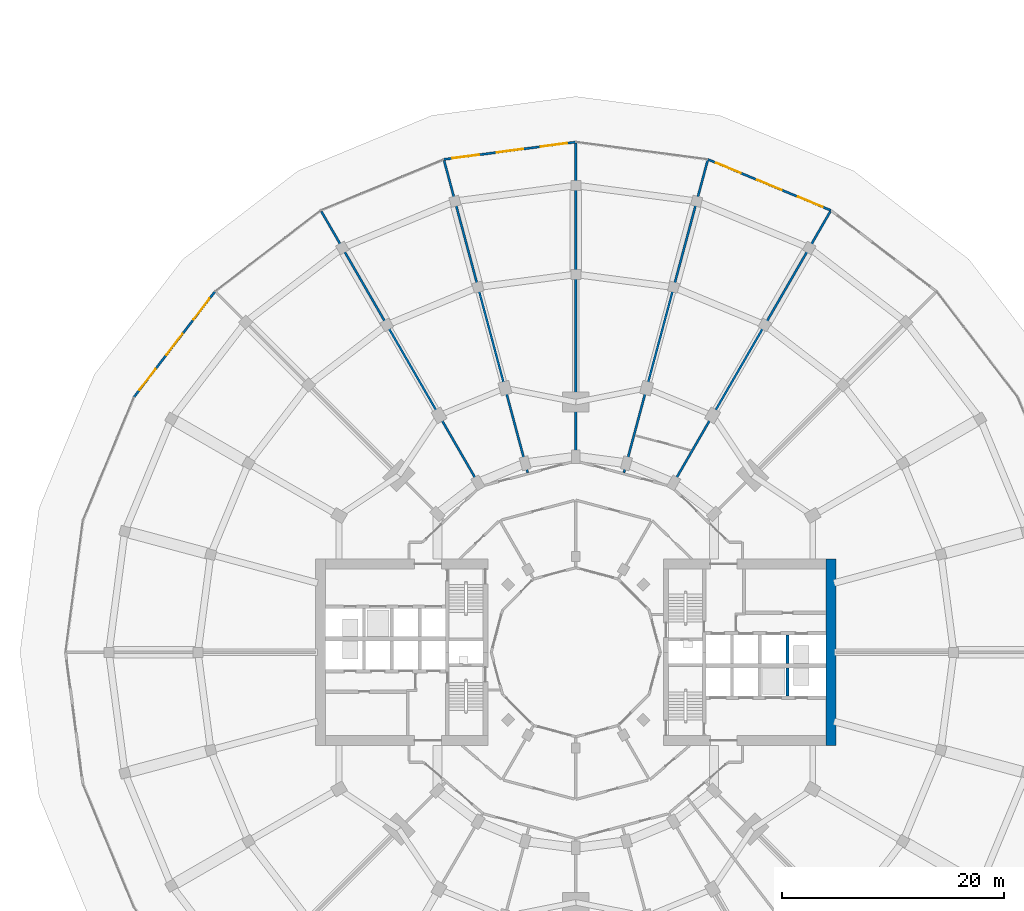
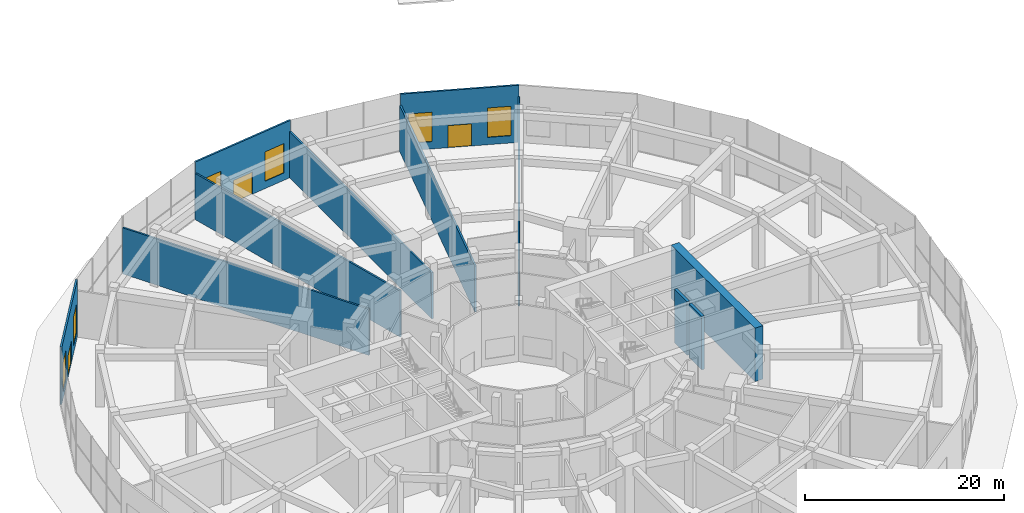
# One storey, part 28 of 31: 11 walls, 6 windows, 3 doors, 9 openings.
"""IFC4 building model written with IfcOpenShell, lengths in metres."""

from ifc_helpers import new_model, si_unit, direction, frame, frame_2d, origin, place, context, subcontext, project, spatial, rectangle, extrude, material, layer, layer_set, type_object, element, fill, save


model = new_model("IFC4")

# Units and contexts
model_context = context("Model", 3, precision=1e-05, world=origin(), true_north=direction((0.0, 1.0)))
body_context = subcontext(model_context, "Body", "Model", "MODEL_VIEW")
ifc_project = project(units=[si_unit("LENGTHUNIT", "METRE"), si_unit("AREAUNIT", "SQUARE_METRE"), si_unit("VOLUMEUNIT", "CUBIC_METRE"), si_unit("PLANEANGLEUNIT", "RADIAN"), si_unit("MASSUNIT", "GRAM", prefix="KILO")], contexts=[model_context])

# Site, building, storey
site_placement = place(None, origin())
site = spatial("IfcSite", under=ifc_project, at=site_placement, CompositionType="ELEMENT")
building_placement = place(site_placement, origin())
building = spatial("IfcBuilding", under=site, at=building_placement, Name="Torre Brocal", CompositionType="ELEMENT")
storey_placement = place(building_placement, origin())
storey = spatial("IfcBuildingStorey", under=building, at=storey_placement, Name="L00", CompositionType="ELEMENT", Elevation=0.0)

# Walls
ifc_material_1 = material(Name="Concrete C80", Category="concrete")
ifc_layer_1 = layer(ifc_material_1, 0.300048828125)
ifc_layer_set_1 = layer_set([ifc_layer_1], Name="Concrete C80")
wall_type_1 = type_object("IfcWallType", Name="CORE WALL 300 C80 UNDER 450 SLAB", PredefinedType="SHEAR", material=ifc_layer_set_1)
for number, where, z_axis, x_axis, name in (
    (1, (99.050048828125, 74.0, 0.0), (0.0, 0.0, 1.0), (0.0, 1.0, 0.0), "Wall CW300-80-S450"),
    (2, (99.050048828125, 71.050048828125, 0.0), (0.0, 0.0, 1.0), (0.0, 1.0, 0.0), "Wall CW300-80-S450"),
):
    element("IfcWall", number, at=place(storey_placement, frame(where, z_axis=z_axis, x_axis=x_axis)), inside=storey, type_object=wall_type_1, Name=name, PredefinedType="SHEAR", context=body_context, shape_type="SweptSolid", body=[
        extrude(rectangle(XDim=2.550048828125, YDim=0.300048828125, at=frame_2d((1.27490234375, 0.0))), origin(), (0.0, 0.0, 1.0), 6.550048828125),
    ])
ifc_material_2 = material(Name="Concrete C80", Category="concrete")
ifc_layer_2 = layer(ifc_material_2, 0.89990234375)
ifc_layer_set_2 = layer_set([ifc_layer_2], Name="Concrete C80")
wall_type_2 = type_object("IfcWallType", Name="CORE WALL 900 C80 UNDER 450 SLAB", PredefinedType="SHEAR", material=ifc_layer_set_2)
wall_1_placement = place(storey_placement, frame((102.949951171875, 66.60009765625, 0.0), z_axis=(0.0, 0.0, 1.0), x_axis=(0.0, 1.0, 0.0)))
element("IfcWall", 3, at=wall_1_placement, inside=storey, type_object=wall_type_2, Name="Wall CW900-80-S450", PredefinedType="SHEAR", context=body_context, shape_type="SweptSolid", body=[
    extrude(rectangle(XDim=16.7998046875, YDim=0.89990234375, at=frame_2d((8.39990234375, 0.0))), origin(), (0.0, 0.0, 1.0), 6.550048828125),
])

# Wall, openings, door, windows
ifc_material_3 = material(Name="Concrete C40", Category="concrete")
ifc_layer_3 = layer(ifc_material_3, 0.199951171875)
ifc_layer_set_3 = layer_set([ifc_layer_3], Name="Concrete C40")
wall_type_3 = type_object("IfcWallType", Name="EXTERNAL WALL 200", PredefinedType="NOTDEFINED", material=ifc_layer_set_3)
wall_2_placement = place(storey_placement, frame((102.949462890625, 114.749755859375, 0.0), z_axis=(0.0, 0.0, 1.0), x_axis=(-0.923874283273, 0.382696104901, 0.0)))
wall_2 = element("IfcWall", 4, at=wall_2_placement, inside=storey, type_object=wall_type_3, Name="EXTERNAL WALL", PredefinedType="NOTDEFINED", context=body_context, shape_type="SweptSolid", body=[
    extrude(rectangle(XDim=11.98193359375, YDim=0.199951171875, at=frame_2d((5.990966796875, 0.0))), origin(), (0.0, 0.0, 1.0), 7.0),
])
opening_1_placement = place(wall_2_placement, frame((0.797119140625, 0.0, 0.89990234375)))
opening_1 = element("IfcOpeningElement", 5, at=opening_1_placement, cuts=wall_2, Name="Opening W5", PredefinedType="OPENING", context=body_context, shape_type="SweptSolid", body=[
    extrude(rectangle(XDim=2.39990234375, YDim=3.60009765625, at=frame_2d((1.199951171875, 1.800048828125))), frame((0.0, 0.10986328125, 0.0), z_axis=(0.0, -1.0, 0.0), x_axis=(1.0, 0.0, 0.0)), (0.0, 0.0, 1.0), 0.219970703125),
])
opening_2_placement = place(wall_2_placement, frame((4.791015625, 0.0, 0.0)))
opening_2 = element("IfcOpeningElement", 6, at=opening_2_placement, cuts=wall_2, Name="Opening L00-E03", PredefinedType="OPENING", context=body_context, shape_type="SweptSolid", body=[
    extrude(rectangle(XDim=2.39990234375, YDim=2.699951171875, at=frame_2d((1.199951171875, 1.35009765625))), frame((0.0, 0.10986328125, 0.0), z_axis=(0.0, -1.0, 0.0), x_axis=(1.0, 0.0, 0.0)), (0.0, 0.0, 1.0), 0.219970703125),
])
opening_3_placement = place(wall_2_placement, frame((8.78515625, 0.0, 0.89990234375)))
opening_3 = element("IfcOpeningElement", 7, at=opening_3_placement, cuts=wall_2, Name="Opening W5", PredefinedType="OPENING", context=body_context, shape_type="SweptSolid", body=[
    extrude(rectangle(XDim=2.39990234375, YDim=3.60009765625, at=frame_2d((1.199951171875, 1.800048828125))), frame((0.0, 0.10986328125, 0.0), z_axis=(0.0, -1.0, 0.0), x_axis=(1.0, 0.0, 0.0)), (0.0, 0.0, 1.0), 0.219970703125),
])
ifc_material_4 = material(Name="Aluminium and glass", Category="aluminium")
door_type = type_object("IfcDoorType", Name="ENTRANCE DOUBLE DOOR 2400X2700", OperationType="DOUBLE_DOOR_SINGLE_SWING", PredefinedType="DOOR", material=ifc_material_4)
door_1_placement = place(opening_2_placement, frame((2.39990234375, 0.0, 0.0), z_axis=(0.0, 0.0, 1.0), x_axis=(-1.0, 0.0, 0.0)))
door_1 = element("IfcDoor", 8, at=door_1_placement, inside=storey, type_object=door_type, Name="DOOR L00-E03", OperationType="DOUBLE_DOOR_SINGLE_SWING", OverallHeight=2.699951171875, OverallWidth=2.39990234375, PredefinedType="DOOR", context=body_context, shape_type="SweptSolid", body=[
    extrude(rectangle(XDim=2.39990234375, YDim=2.699951171875, at=frame_2d((1.199951171875, 1.35009765625))), frame((0.0, 0.02490234375, 0.0), z_axis=(0.0, -1.0, 0.0), x_axis=(1.0, 0.0, 0.0)), (0.0, 0.0, 1.0), 0.050048828125),
])
fill(opening_2, door_1)
ifc_material_5 = material(Name="Aluminium and glass", Category="aluminium")
window_type = type_object("IfcWindowType", Name="PODIUM WINDOW 2400X3600", PartitioningType="SINGLE_PANEL", PredefinedType="WINDOW", material=ifc_material_5)
window_1_placement = place(opening_1_placement, origin())
window_1 = element("IfcWindow", 9, at=window_1_placement, inside=storey, type_object=window_type, Name="PODIUM WINDOW 2400X3600", OverallHeight=3.60009765625, OverallWidth=2.39990234375, PartitioningType="SINGLE_PANEL", PredefinedType="WINDOW", context=body_context, shape_type="SweptSolid", body=[
    extrude(rectangle(XDim=2.39990234375, YDim=3.60009765625, at=frame_2d((1.199951171875, 1.800048828125))), frame((0.0, 0.030029296875, 0.0), z_axis=(0.0, -1.0, 0.0), x_axis=(1.0, 0.0, 0.0)), (0.0, 0.0, 1.0), 0.06005859375),
])
fill(opening_1, window_1)
window_2_placement = place(opening_3_placement, origin())
window_2 = element("IfcWindow", 10, at=window_2_placement, inside=storey, type_object=window_type, Name="PODIUM WINDOW 2400X3600", OverallHeight=3.60009765625, OverallWidth=2.39990234375, PartitioningType="SINGLE_PANEL", PredefinedType="WINDOW", context=body_context, shape_type="SweptSolid", body=[
    extrude(rectangle(XDim=2.39990234375, YDim=3.60009765625, at=frame_2d((1.199951171875, 1.800048828125))), frame((0.0, 0.030029296875, 0.0), z_axis=(0.0, -1.0, 0.0), x_axis=(1.0, 0.0, 0.0)), (0.0, 0.0, 1.0), 0.06005859375),
])
fill(opening_3, window_2)

wall_3_placement = place(storey_placement, frame((80.0, 120.899169921875, 0.0), z_axis=(0.0, 0.0, 1.0), x_axis=(-0.991445069361, -0.130524612391, 0.0)))
wall_3 = element("IfcWall", 11, at=wall_3_placement, inside=storey, type_object=wall_type_3, Name="EXTERNAL WALL", PredefinedType="NOTDEFINED", context=body_context, shape_type="SweptSolid", body=[
    extrude(rectangle(XDim=11.982177734375, YDim=0.199951171875, at=frame_2d((5.9912109375, 0.0))), origin(), (0.0, 0.0, 1.0), 7.0),
])
opening_4_placement = place(wall_3_placement, frame((0.797119140625, 0.0, 0.89990234375)))
opening_4 = element("IfcOpeningElement", 12, at=opening_4_placement, cuts=wall_3, Name="Opening W5", PredefinedType="OPENING", context=body_context, shape_type="SweptSolid", body=[
    extrude(rectangle(XDim=2.39990234375, YDim=3.60009765625, at=frame_2d((1.199951171875, 1.800048828125))), frame((0.0, 0.10986328125, 0.0), z_axis=(0.0, -1.0, 0.0), x_axis=(1.0, 0.0, 0.0)), (0.0, 0.0, 1.0), 0.219970703125),
])
opening_5_placement = place(wall_3_placement, frame((4.791015625, 0.0, 0.0)))
opening_5 = element("IfcOpeningElement", 13, at=opening_5_placement, cuts=wall_3, Name="Opening L00-E04", PredefinedType="OPENING", context=body_context, shape_type="SweptSolid", body=[
    extrude(rectangle(XDim=2.39990234375, YDim=2.699951171875, at=frame_2d((1.199951171875, 1.35009765625))), frame((0.0, 0.10986328125, 0.0), z_axis=(0.0, -1.0, 0.0), x_axis=(1.0, 0.0, 0.0)), (0.0, 0.0, 1.0), 0.219970703125),
])
opening_6_placement = place(wall_3_placement, frame((8.78515625, 0.0, 0.89990234375)))
opening_6 = element("IfcOpeningElement", 14, at=opening_6_placement, cuts=wall_3, Name="Opening W5", PredefinedType="OPENING", context=body_context, shape_type="SweptSolid", body=[
    extrude(rectangle(XDim=2.39990234375, YDim=3.60009765625, at=frame_2d((1.199951171875, 1.800048828125))), frame((0.0, 0.10986328125, 0.0), z_axis=(0.0, -1.0, 0.0), x_axis=(1.0, 0.0, 0.0)), (0.0, 0.0, 1.0), 0.219970703125),
])
door_2_placement = place(opening_5_placement, frame((2.39990234375, 0.0, 0.0), z_axis=(0.0, 0.0, 1.0), x_axis=(-1.0, 0.0, 0.0)))
door_2 = element("IfcDoor", 15, at=door_2_placement, inside=storey, type_object=door_type, Name="DOOR L00-E04", OperationType="DOUBLE_DOOR_SINGLE_SWING", OverallHeight=2.699951171875, OverallWidth=2.39990234375, PredefinedType="DOOR", context=body_context, shape_type="SweptSolid", body=[
    extrude(rectangle(XDim=2.39990234375, YDim=2.699951171875, at=frame_2d((1.199951171875, 1.35009765625))), frame((0.0, 0.02490234375, 0.0), z_axis=(0.0, -1.0, 0.0), x_axis=(1.0, 0.0, 0.0)), (0.0, 0.0, 1.0), 0.050048828125),
])
fill(opening_5, door_2)
window_3_placement = place(opening_4_placement, origin())
window_3 = element("IfcWindow", 16, at=window_3_placement, inside=storey, type_object=window_type, Name="PODIUM WINDOW 2400X3600", OverallHeight=3.60009765625, OverallWidth=2.39990234375, PartitioningType="SINGLE_PANEL", PredefinedType="WINDOW", context=body_context, shape_type="SweptSolid", body=[
    extrude(rectangle(XDim=2.39990234375, YDim=3.60009765625, at=frame_2d((1.199951171875, 1.800048828125))), frame((0.0, 0.030029296875, 0.0), z_axis=(0.0, -1.0, 0.0), x_axis=(1.0, 0.0, 0.0)), (0.0, 0.0, 1.0), 0.06005859375),
])
fill(opening_4, window_3)
window_4_placement = place(opening_6_placement, origin())
window_4 = element("IfcWindow", 17, at=window_4_placement, inside=storey, type_object=window_type, Name="PODIUM WINDOW 2400X3600", OverallHeight=3.60009765625, OverallWidth=2.39990234375, PartitioningType="SINGLE_PANEL", PredefinedType="WINDOW", context=body_context, shape_type="SweptSolid", body=[
    extrude(rectangle(XDim=2.39990234375, YDim=3.60009765625, at=frame_2d((1.199951171875, 1.800048828125))), frame((0.0, 0.030029296875, 0.0), z_axis=(0.0, -1.0, 0.0), x_axis=(1.0, 0.0, 0.0)), (0.0, 0.0, 1.0), 0.06005859375),
])
fill(opening_6, window_4)

wall_4_placement = place(storey_placement, frame((47.54443359375, 107.45556640625, 0.0), z_axis=(0.0, 0.0, 1.0), x_axis=(-0.608756159021, -0.793357384068, 0.0)))
wall_4 = element("IfcWall", 18, at=wall_4_placement, inside=storey, type_object=wall_type_3, Name="EXTERNAL WALL", PredefinedType="NOTDEFINED", context=body_context, shape_type="SweptSolid", body=[
    extrude(rectangle(XDim=11.982177734375, YDim=0.199951171875, at=frame_2d((5.9912109375, 0.0))), origin(), (0.0, 0.0, 1.0), 7.0),
])
opening_7_placement = place(wall_4_placement, frame((0.797119140625, 0.0, 0.89990234375)))
opening_7 = element("IfcOpeningElement", 19, at=opening_7_placement, cuts=wall_4, Name="Opening W5", PredefinedType="OPENING", context=body_context, shape_type="SweptSolid", body=[
    extrude(rectangle(XDim=2.39990234375, YDim=3.60009765625, at=frame_2d((1.199951171875, 1.800048828125))), frame((0.0, 0.10986328125, 0.0), z_axis=(0.0, -1.0, 0.0), x_axis=(1.0, 0.0, 0.0)), (0.0, 0.0, 1.0), 0.219970703125),
])
opening_8_placement = place(wall_4_placement, frame((4.791015625, 0.0, 0.0)))
opening_8 = element("IfcOpeningElement", 20, at=opening_8_placement, cuts=wall_4, Name="Opening L00-E05", PredefinedType="OPENING", context=body_context, shape_type="SweptSolid", body=[
    extrude(rectangle(XDim=2.39990234375, YDim=2.699951171875, at=frame_2d((1.199951171875, 1.35009765625))), frame((0.0, 0.10986328125, 0.0), z_axis=(0.0, -1.0, 0.0), x_axis=(1.0, 0.0, 0.0)), (0.0, 0.0, 1.0), 0.219970703125),
])
opening_9_placement = place(wall_4_placement, frame((8.78515625, 0.0, 0.89990234375)))
opening_9 = element("IfcOpeningElement", 21, at=opening_9_placement, cuts=wall_4, Name="Opening W5", PredefinedType="OPENING", context=body_context, shape_type="SweptSolid", body=[
    extrude(rectangle(XDim=2.39990234375, YDim=3.60009765625, at=frame_2d((1.199951171875, 1.800048828125))), frame((0.0, 0.10986328125, 0.0), z_axis=(0.0, -1.0, 0.0), x_axis=(1.0, 0.0, 0.0)), (0.0, 0.0, 1.0), 0.219970703125),
])
door_3_placement = place(opening_8_placement, frame((2.39990234375, 0.0, 0.0), z_axis=(0.0, 0.0, 1.0), x_axis=(-1.0, 0.0, 0.0)))
door_3 = element("IfcDoor", 22, at=door_3_placement, inside=storey, type_object=door_type, Name="DOOR L00-E05", OperationType="DOUBLE_DOOR_SINGLE_SWING", OverallHeight=2.699951171875, OverallWidth=2.39990234375, PredefinedType="DOOR", context=body_context, shape_type="SweptSolid", body=[
    extrude(rectangle(XDim=2.39990234375, YDim=2.699951171875, at=frame_2d((1.199951171875, 1.35009765625))), frame((0.0, 0.02490234375, 0.0), z_axis=(0.0, -1.0, 0.0), x_axis=(1.0, 0.0, 0.0)), (0.0, 0.0, 1.0), 0.050048828125),
])
fill(opening_8, door_3)
window_5_placement = place(opening_7_placement, origin())
window_5 = element("IfcWindow", 23, at=window_5_placement, inside=storey, type_object=window_type, Name="PODIUM WINDOW 2400X3600", OverallHeight=3.60009765625, OverallWidth=2.39990234375, PartitioningType="SINGLE_PANEL", PredefinedType="WINDOW", context=body_context, shape_type="SweptSolid", body=[
    extrude(rectangle(XDim=2.39990234375, YDim=3.60009765625, at=frame_2d((1.199951171875, 1.800048828125))), frame((0.0, 0.030029296875, 0.0), z_axis=(0.0, -1.0, 0.0), x_axis=(1.0, 0.0, 0.0)), (0.0, 0.0, 1.0), 0.06005859375),
])
fill(opening_7, window_5)
window_6_placement = place(opening_9_placement, origin())
window_6 = element("IfcWindow", 24, at=window_6_placement, inside=storey, type_object=window_type, Name="PODIUM WINDOW 2400X3600", OverallHeight=3.60009765625, OverallWidth=2.39990234375, PartitioningType="SINGLE_PANEL", PredefinedType="WINDOW", context=body_context, shape_type="SweptSolid", body=[
    extrude(rectangle(XDim=2.39990234375, YDim=3.60009765625, at=frame_2d((1.199951171875, 1.800048828125))), frame((0.0, 0.030029296875, 0.0), z_axis=(0.0, -1.0, 0.0), x_axis=(1.0, 0.0, 0.0)), (0.0, 0.0, 1.0), 0.06005859375),
])
fill(opening_9, window_6)

# Walls
ifc_material_6 = material(Name="Gypsum board", Category="Gypsum")
ifc_layer_4 = layer(ifc_material_6, 0.199951171875)
ifc_layer_set_4 = layer_set([ifc_layer_4], Name="Gypsum board")
wall_type_4 = type_object("IfcWallType", Name="PARTITION 200 EI60 UNDER BEAM 1350", PredefinedType="PARTITIONING", material=ifc_layer_set_4)
wall_5_placement = place(storey_placement, frame((57.106689453125, 114.66552734375, 0.0), z_axis=(0.0, 0.0, 1.0), x_axis=(0.499851749166, -0.866110979526, 0.0)))
element("IfcWall", 25, at=wall_5_placement, inside=storey, type_object=wall_type_4, Name="PARTY PARTITION", PredefinedType="PARTITIONING", context=body_context, shape_type="SweptSolid", body=[
    extrude(rectangle(XDim=28.496337890625, YDim=0.199951171875, at=frame_2d((14.248046875, 0.0))), origin(), (0.0, 0.0, 1.0), 5.64990234375),
])
wall_6_placement = place(storey_placement, frame((68.151123046875, 119.23828125, 0.0), z_axis=(0.0, 0.0, 1.0), x_axis=(0.258758470918, -0.965942055057, 0.0)))
element("IfcWall", 26, at=wall_6_placement, inside=storey, type_object=wall_type_4, Name="PARTY PARTITION", PredefinedType="PARTITIONING", context=body_context, shape_type="SweptSolid", body=[
    extrude(rectangle(XDim=29.07421875, YDim=0.199951171875, at=frame_2d((14.537109375, 0.0))), origin(), (0.0, 0.0, 1.0), 5.64990234375),
])
wall_7_placement = place(storey_placement, frame((80.0, 92.300048828125, 0.0), z_axis=(0.0, 0.0, 1.0), x_axis=(0.0, 1.0, 0.0)))
element("IfcWall", 27, at=wall_7_placement, inside=storey, type_object=wall_type_4, Name="PARTY PARTITION", PredefinedType="PARTITIONING", context=body_context, shape_type="SweptSolid", body=[
    extrude(rectangle(XDim=28.498046875, YDim=0.199951171875, at=frame_2d((14.2490234375, 0.0))), origin(), (0.0, 0.0, 1.0), 5.64990234375),
])
wall_8_placement = place(storey_placement, frame((84.32958984375, 91.1533203125, 0.0), z_axis=(0.0, 0.0, 1.0), x_axis=(0.258902156378, 0.965903552858, 0.0)))
element("IfcWall", 28, at=wall_8_placement, inside=storey, type_object=wall_type_4, Name="PARTY PARTITION", PredefinedType="PARTITIONING", context=body_context, shape_type="SweptSolid", body=[
    extrude(rectangle(XDim=29.073974609375, YDim=0.199951171875, at=frame_2d((14.537109375, 0.0))), origin(), (0.0, 0.0, 1.0), 5.64990234375),
])
wall_9_placement = place(storey_placement, frame((88.6015625, 89.896728515625, 0.0), z_axis=(0.0, 0.0, 1.0), x_axis=(0.500041462516, 0.866001464066, 0.0)))
element("IfcWall", 29, at=wall_9_placement, inside=storey, type_object=wall_type_4, Name="PARTY PARTITION", PredefinedType="PARTITIONING", context=body_context, shape_type="SweptSolid", body=[
    extrude(rectangle(XDim=28.59619140625, YDim=0.199951171875, at=frame_2d((14.298095703125, 0.0))), origin(), (0.0, 0.0, 1.0), 5.64990234375),
])

save(model, "model.ifc")
